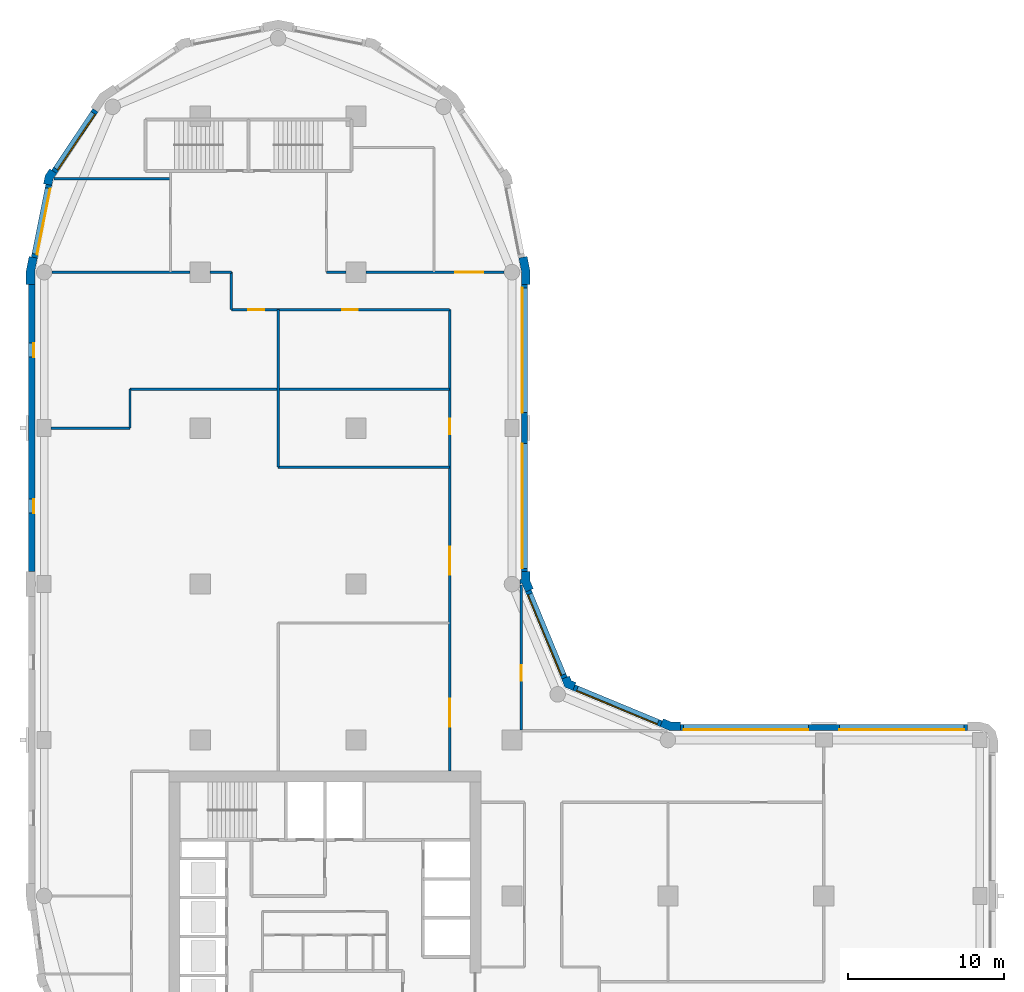
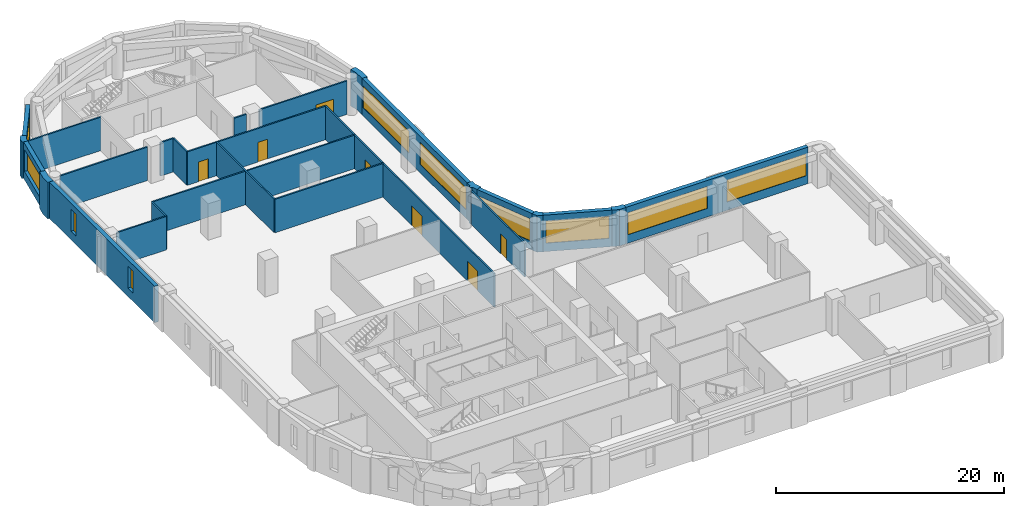
# One storey, part 5 of 9: 27 walls, 10 windows, 7 doors, 17 openings.
"""IFC4 building model written with IfcOpenShell, lengths in metres."""

from ifc_helpers import new_model, si_unit, direction, frame, frame_2d, origin, place, context, subcontext, project, spatial, polyline, rectangle, outline, extrude, material, layer, layer_set, type_object, element, fill, save


model = new_model("IFC4")

# Units and contexts
model_context = context("Model", 3, precision=1e-05, world=origin(), true_north=direction((0.0, 1.0)))
body_context = subcontext(model_context, "Body", "Model", "MODEL_VIEW")
ifc_project = project(units=[si_unit("LENGTHUNIT", "METRE"), si_unit("AREAUNIT", "SQUARE_METRE"), si_unit("VOLUMEUNIT", "CUBIC_METRE"), si_unit("PLANEANGLEUNIT", "RADIAN"), si_unit("MASSUNIT", "GRAM", prefix="KILO")], contexts=[model_context])

# Site, building, storey
site_placement = place(None, origin())
site = spatial("IfcSite", under=ifc_project, at=site_placement, CompositionType="ELEMENT")
building_placement = place(site_placement, origin())
building = spatial("IfcBuilding", under=site, at=building_placement, Name="Qaws Garden Tower", CompositionType="ELEMENT")
storey_placement = place(building_placement, frame((0.0, 0.0, 190.199951171875)))
storey = spatial("IfcBuildingStorey", under=building, at=storey_placement, Name="L46", CompositionType="ELEMENT", Elevation=190.199951171875)

# Wall, openings, windows
ifc_material_1 = material(Name="Clay facing brick masonry", Category="masonry")
ifc_layer_1 = layer(ifc_material_1, 0.39990234375)
ifc_layer_set_1 = layer_set([ifc_layer_1], Name="Clay facing brick masonry")
wall_type_1 = type_object("IfcWallType", Name="Brick infill wall 400", PredefinedType="SOLIDWALL", material=ifc_layer_set_1)
wall_1_placement = place(storey_placement, frame((59.199951171875, 30.800048828125, 0.0), z_axis=(0.0, 0.0, 1.0), x_axis=(-1.0, 0.0, 0.0)))
wall_1 = element("IfcWall", 1, at=wall_1_placement, inside=storey, type_object=wall_type_1, Name="E-L46-infill-07", PredefinedType="SOLIDWALL", context=body_context, shape_type="SweptSolid", body=[
    extrude(rectangle(XDim=18.39990234375, YDim=0.39990234375, at=frame_2d((9.199951171875, 0.0))), origin(), (0.0, 0.0, 1.0), 3.900146484375),
])
opening_1_placement = place(wall_1_placement, frame((0.199951171875, 0.0, 0.89990234375)))
opening_1 = element("IfcOpeningElement", 2, at=opening_1_placement, cuts=wall_1, Name="Opening W01", PredefinedType="OPENING", context=body_context, shape_type="SweptSolid", body=[
    extrude(rectangle(XDim=8.0, YDim=2.35009765625, at=frame_2d((4.0, 1.175048828125))), frame((0.0, 0.2099609375, 0.0), z_axis=(0.0, -1.0, 0.0), x_axis=(1.0, 0.0, 0.0)), (0.0, 0.0, 1.0), 0.419921875),
])
opening_2_placement = place(wall_1_placement, frame((10.199951171875, 0.0, 0.89990234375)))
opening_2 = element("IfcOpeningElement", 3, at=opening_2_placement, cuts=wall_1, Name="Opening W01", PredefinedType="OPENING", context=body_context, shape_type="SweptSolid", body=[
    extrude(rectangle(XDim=8.0, YDim=2.35009765625, at=frame_2d((4.0, 1.175048828125))), frame((0.0, 0.2099609375, 0.0), z_axis=(0.0, -1.0, 0.0), x_axis=(1.0, 0.0, 0.0)), (0.0, 0.0, 1.0), 0.419921875),
])
ifc_material_2 = material(Name="Aluminium framed window, clear glazing", Category="aluminium")
window_type_1 = type_object("IfcWindowType", Name="Ribbon window 8000 x 2350", PartitioningType="DOUBLE_PANEL_VERTICAL", PredefinedType="WINDOW", material=ifc_material_2)
window_1_placement = place(opening_1_placement, origin())
window_1 = element("IfcWindow", 4, at=window_1_placement, inside=storey, type_object=window_type_1, Name="E-L46-window-07-0", OverallHeight=2.35009765625, OverallWidth=8.0, PartitioningType="SINGLE_PANEL", PredefinedType="WINDOW", context=body_context, shape_type="SweptSolid", body=[
    extrude(rectangle(XDim=8.0, YDim=2.35009765625, at=frame_2d((4.0, 1.175048828125))), frame((0.0, 0.159912109375, 0.0), z_axis=(0.0, -1.0, 0.0), x_axis=(1.0, 0.0, 0.0)), (0.0, 0.0, 1.0), 0.06005859375),
])
fill(opening_1, window_1)
window_2_placement = place(opening_2_placement, origin())
window_2 = element("IfcWindow", 5, at=window_2_placement, inside=storey, type_object=window_type_1, Name="E-L46-window-08-0", OverallHeight=2.35009765625, OverallWidth=8.0, PartitioningType="SINGLE_PANEL", PredefinedType="WINDOW", context=body_context, shape_type="SweptSolid", body=[
    extrude(rectangle(XDim=8.0, YDim=2.35009765625, at=frame_2d((4.0, 1.175048828125))), frame((0.0, 0.159912109375, 0.0), z_axis=(0.0, -1.0, 0.0), x_axis=(1.0, 0.0, 0.0)), (0.0, 0.0, 1.0), 0.06005859375),
])
fill(opening_2, window_2)

# Wall, opening, window
wall_2_placement = place(storey_placement, frame((39.56689453125, 31.04541015625, 0.0), z_axis=(0.0, 0.0, 1.0), x_axis=(-0.923891000409, 0.382655745237, 0.0)))
wall_2 = element("IfcWall", 6, at=wall_2_placement, inside=storey, type_object=wall_type_1, Name="E-L46-infill-09", PredefinedType="SOLIDWALL", context=body_context, shape_type="SweptSolid", body=[
    extrude(rectangle(XDim=6.053466796875, YDim=0.39990234375, at=frame_2d((3.02685546875, 0.0))), origin(), (0.0, 0.0, 1.0), 3.900146484375),
])
opening_3_placement = place(wall_2_placement, frame((0.226806640625, 0.0, 0.89990234375)))
opening_3 = element("IfcOpeningElement", 7, at=opening_3_placement, cuts=wall_2, Name="Opening W04", PredefinedType="OPENING", context=body_context, shape_type="SweptSolid", body=[
    extrude(rectangle(XDim=5.60009765625, YDim=2.35009765625, at=frame_2d((2.800048828125, 1.175048828125))), frame((0.0, 0.2099609375, 0.0), z_axis=(0.0, -1.0, 0.0), x_axis=(1.0, 0.0, 0.0)), (0.0, 0.0, 1.0), 0.419921875),
])
ifc_material_3 = material(Name="Aluminium framed window, clear glazing", Category="aluminium")
window_type_2 = type_object("IfcWindowType", Name="Ribbon window 5600 x 2350", PartitioningType="DOUBLE_PANEL_VERTICAL", PredefinedType="WINDOW", material=ifc_material_3)
window_3_placement = place(opening_3_placement, origin())
window_3 = element("IfcWindow", 8, at=window_3_placement, inside=storey, type_object=window_type_2, Name="E-L46-window-09-0", OverallHeight=2.35009765625, OverallWidth=5.60009765625, PartitioningType="SINGLE_PANEL", PredefinedType="WINDOW", context=body_context, shape_type="SweptSolid", body=[
    extrude(rectangle(XDim=5.60009765625, YDim=2.35009765625, at=frame_2d((2.800048828125, 1.175048828125))), frame((0.0, 0.159912109375, 0.0), z_axis=(0.0, -1.0, 0.0), x_axis=(1.0, 0.0, 0.0)), (0.0, 0.0, 1.0), 0.06005859375),
])
fill(opening_3, window_3)

wall_3_placement = place(storey_placement, frame((33.36181640625, 33.97412109375, 0.0), z_axis=(0.0, 0.0, 1.0), x_axis=(-0.382655745237, 0.923891000409, 0.0)))
wall_3 = element("IfcWall", 9, at=wall_3_placement, inside=storey, type_object=wall_type_1, Name="E-L46-infill-10", PredefinedType="SOLIDWALL", context=body_context, shape_type="SweptSolid", body=[
    extrude(rectangle(XDim=6.053466796875, YDim=0.39990234375, at=frame_2d((3.02685546875, 0.0))), origin(), (0.0, 0.0, 1.0), 3.900146484375),
])
opening_4_placement = place(wall_3_placement, frame((0.226806640625, 0.0, 0.89990234375)))
opening_4 = element("IfcOpeningElement", 10, at=opening_4_placement, cuts=wall_3, Name="Opening W04", PredefinedType="OPENING", context=body_context, shape_type="SweptSolid", body=[
    extrude(rectangle(XDim=5.60009765625, YDim=2.35009765625, at=frame_2d((2.800048828125, 1.175048828125))), frame((0.0, 0.2099609375, 0.0), z_axis=(0.0, -1.0, 0.0), x_axis=(1.0, 0.0, 0.0)), (0.0, 0.0, 1.0), 0.419921875),
])
window_4_placement = place(opening_4_placement, origin())
window_4 = element("IfcWindow", 11, at=window_4_placement, inside=storey, type_object=window_type_2, Name="E-L46-window-10-0", OverallHeight=2.35009765625, OverallWidth=5.60009765625, PartitioningType="SINGLE_PANEL", PredefinedType="WINDOW", context=body_context, shape_type="SweptSolid", body=[
    extrude(rectangle(XDim=5.60009765625, YDim=2.35009765625, at=frame_2d((2.800048828125, 1.175048828125))), frame((0.0, 0.159912109375, 0.0), z_axis=(0.0, -1.0, 0.0), x_axis=(1.0, 0.0, 0.0)), (0.0, 0.0, 1.0), 0.06005859375),
])
fill(opening_4, window_4)

# Wall, openings, windows
wall_4_placement = place(storey_placement, frame((30.800048828125, 40.800048828125, 0.0), z_axis=(0.0, 0.0, 1.0), x_axis=(0.0, 1.0, 0.0)))
wall_4 = element("IfcWall", 12, at=wall_4_placement, inside=storey, type_object=wall_type_1, Name="E-L46-infill-11", PredefinedType="SOLIDWALL", context=body_context, shape_type="SweptSolid", body=[
    extrude(rectangle(XDim=18.39990234375, YDim=0.39990234375, at=frame_2d((9.199951171875, 0.0))), origin(), (0.0, 0.0, 1.0), 3.900146484375),
])
opening_5_placement = place(wall_4_placement, frame((0.199951171875, 0.0, 0.89990234375)))
opening_5 = element("IfcOpeningElement", 13, at=opening_5_placement, cuts=wall_4, Name="Opening W01", PredefinedType="OPENING", context=body_context, shape_type="SweptSolid", body=[
    extrude(rectangle(XDim=8.0, YDim=2.35009765625, at=frame_2d((4.0, 1.175048828125))), frame((0.0, 0.2099609375, 0.0), z_axis=(0.0, -1.0, 0.0), x_axis=(1.0, 0.0, 0.0)), (0.0, 0.0, 1.0), 0.419921875),
])
opening_6_placement = place(wall_4_placement, frame((10.199951171875, 0.0, 0.89990234375)))
opening_6 = element("IfcOpeningElement", 14, at=opening_6_placement, cuts=wall_4, Name="Opening W01", PredefinedType="OPENING", context=body_context, shape_type="SweptSolid", body=[
    extrude(rectangle(XDim=8.0, YDim=2.35009765625, at=frame_2d((4.0, 1.175048828125))), frame((0.0, 0.2099609375, 0.0), z_axis=(0.0, -1.0, 0.0), x_axis=(1.0, 0.0, 0.0)), (0.0, 0.0, 1.0), 0.419921875),
])
window_5_placement = place(opening_5_placement, origin())
window_5 = element("IfcWindow", 15, at=window_5_placement, inside=storey, type_object=window_type_1, Name="E-L46-window-11-0", OverallHeight=2.35009765625, OverallWidth=8.0, PartitioningType="SINGLE_PANEL", PredefinedType="WINDOW", context=body_context, shape_type="SweptSolid", body=[
    extrude(rectangle(XDim=8.0, YDim=2.35009765625, at=frame_2d((4.0, 1.175048828125))), frame((0.0, 0.159912109375, 0.0), z_axis=(0.0, -1.0, 0.0), x_axis=(1.0, 0.0, 0.0)), (0.0, 0.0, 1.0), 0.06005859375),
])
fill(opening_5, window_5)
window_6_placement = place(opening_6_placement, origin())
window_6 = element("IfcWindow", 16, at=window_6_placement, inside=storey, type_object=window_type_1, Name="E-L46-window-12-0", OverallHeight=2.35009765625, OverallWidth=8.0, PartitioningType="SINGLE_PANEL", PredefinedType="WINDOW", context=body_context, shape_type="SweptSolid", body=[
    extrude(rectangle(XDim=8.0, YDim=2.35009765625, at=frame_2d((4.0, 1.175048828125))), frame((0.0, 0.159912109375, 0.0), z_axis=(0.0, -1.0, 0.0), x_axis=(1.0, 0.0, 0.0)), (0.0, 0.0, 1.0), 0.06005859375),
])
fill(opening_6, window_6)

# Wall, opening, window
wall_5_placement = place(storey_placement, frame((3.28369140625, 70.385986328125, 0.0), z_axis=(0.0, 0.0, 1.0), x_axis=(-0.555541552266, -0.831488775454, 0.0)))
wall_5 = element("IfcWall", 17, at=wall_5_placement, inside=storey, type_object=wall_type_1, Name="E-L46-infill-19", PredefinedType="SOLIDWALL", context=body_context, shape_type="SweptSolid", body=[
    extrude(rectangle(XDim=4.752685546875, YDim=0.39990234375, at=frame_2d((2.37646484375, 0.0))), origin(), (0.0, 0.0, 1.0), 3.900146484375),
])
opening_7_placement = place(wall_5_placement, frame((0.226318359375, 0.0, 0.89990234375)))
opening_7 = element("IfcOpeningElement", 18, at=opening_7_placement, cuts=wall_5, Name="Opening W06", PredefinedType="OPENING", context=body_context, shape_type="SweptSolid", body=[
    extrude(rectangle(XDim=4.300048828125, YDim=2.35009765625, at=frame_2d((2.14990234375, 1.175048828125))), frame((0.0, 0.2099609375, 0.0), z_axis=(0.0, -1.0, 0.0), x_axis=(1.0, 0.0, 0.0)), (0.0, 0.0, 1.0), 0.419921875),
])
ifc_material_4 = material(Name="Aluminium framed window, clear glazing", Category="aluminium")
window_type_3 = type_object("IfcWindowType", Name="Ribbon window 4300 x 2350", PartitioningType="DOUBLE_PANEL_VERTICAL", PredefinedType="WINDOW", material=ifc_material_4)
window_7_placement = place(opening_7_placement, origin())
window_7 = element("IfcWindow", 19, at=window_7_placement, inside=storey, type_object=window_type_3, Name="E-L46-window-19-0", OverallHeight=2.35009765625, OverallWidth=4.300048828125, PartitioningType="SINGLE_PANEL", PredefinedType="WINDOW", context=body_context, shape_type="SweptSolid", body=[
    extrude(rectangle(XDim=4.300048828125, YDim=2.35009765625, at=frame_2d((2.14990234375, 1.175048828125))), frame((0.0, 0.159912109375, 0.0), z_axis=(0.0, -1.0, 0.0), x_axis=(1.0, 0.0, 0.0)), (0.0, 0.0, 1.0), 0.06005859375),
])
fill(opening_7, window_7)

wall_6_placement = place(storey_placement, frame((0.298583984375, 65.60205078125, 0.0), z_axis=(0.0, 0.0, 1.0), x_axis=(-0.195098533057, -0.98078364709, 0.0)))
wall_6 = element("IfcWall", 20, at=wall_6_placement, inside=storey, type_object=wall_type_1, Name="E-L46-infill-20", PredefinedType="SOLIDWALL", context=body_context, shape_type="SweptSolid", body=[
    extrude(rectangle(XDim=4.752685546875, YDim=0.39990234375, at=frame_2d((2.37646484375, 0.0))), origin(), (0.0, 0.0, 1.0), 3.900146484375),
])
opening_8_placement = place(wall_6_placement, frame((0.226318359375, 0.0, 0.89990234375)))
opening_8 = element("IfcOpeningElement", 21, at=opening_8_placement, cuts=wall_6, Name="Opening W06", PredefinedType="OPENING", context=body_context, shape_type="SweptSolid", body=[
    extrude(rectangle(XDim=4.300048828125, YDim=2.35009765625, at=frame_2d((2.14990234375, 1.175048828125))), frame((0.0, 0.2099609375, 0.0), z_axis=(0.0, -1.0, 0.0), x_axis=(1.0, 0.0, 0.0)), (0.0, 0.0, 1.0), 0.419921875),
])
window_8_placement = place(opening_8_placement, origin())
window_8 = element("IfcWindow", 22, at=window_8_placement, inside=storey, type_object=window_type_3, Name="E-L46-window-20-0", OverallHeight=2.35009765625, OverallWidth=4.300048828125, PartitioningType="SINGLE_PANEL", PredefinedType="WINDOW", context=body_context, shape_type="SweptSolid", body=[
    extrude(rectangle(XDim=4.300048828125, YDim=2.35009765625, at=frame_2d((2.14990234375, 1.175048828125))), frame((0.0, 0.159912109375, 0.0), z_axis=(0.0, -1.0, 0.0), x_axis=(1.0, 0.0, 0.0)), (0.0, 0.0, 1.0), 0.06005859375),
])
fill(opening_8, window_8)

# Wall, openings, windows
wall_7_placement = place(storey_placement, frame((-0.800048828125, 59.199951171875, 0.0), z_axis=(0.0, 0.0, 1.0), x_axis=(0.0, -1.0, 0.0)))
wall_7 = element("IfcWall", 23, at=wall_7_placement, inside=storey, type_object=wall_type_1, Name="E-L46-infill-21", PredefinedType="SOLIDWALL", context=body_context, shape_type="SweptSolid", body=[
    extrude(rectangle(XDim=18.39990234375, YDim=0.39990234375, at=frame_2d((9.199951171875, 0.0))), origin(), (0.0, 0.0, 1.0), 3.900146484375),
])
opening_9_placement = place(wall_7_placement, frame((3.75, 0.0, 0.89990234375)))
opening_9 = element("IfcOpeningElement", 24, at=opening_9_placement, cuts=wall_7, Name="Opening W09", PredefinedType="OPENING", context=body_context, shape_type="SweptSolid", body=[
    extrude(rectangle(XDim=0.89990234375, YDim=2.35009765625, at=frame_2d((0.449951171875, 1.175048828125))), frame((0.0, 0.2099609375, 0.0), z_axis=(0.0, -1.0, 0.0), x_axis=(1.0, 0.0, 0.0)), (0.0, 0.0, 1.0), 0.419921875),
])
opening_10_placement = place(wall_7_placement, frame((13.75, 0.0, 0.89990234375)))
opening_10 = element("IfcOpeningElement", 25, at=opening_10_placement, cuts=wall_7, Name="Opening W09", PredefinedType="OPENING", context=body_context, shape_type="SweptSolid", body=[
    extrude(rectangle(XDim=0.89990234375, YDim=2.35009765625, at=frame_2d((0.449951171875, 1.175048828125))), frame((0.0, 0.2099609375, 0.0), z_axis=(0.0, -1.0, 0.0), x_axis=(1.0, 0.0, 0.0)), (0.0, 0.0, 1.0), 0.419921875),
])
ifc_material_5 = material(Name="Aluminium framed window, clear glazing", Category="aluminium")
window_type_4 = type_object("IfcWindowType", Name="Slit window 900 x 2350", PartitioningType="SINGLE_PANEL", PredefinedType="WINDOW", material=ifc_material_5)
window_9_placement = place(opening_9_placement, origin())
window_9 = element("IfcWindow", 26, at=window_9_placement, inside=storey, type_object=window_type_4, Name="E-L46-window-21-0", OverallHeight=2.35009765625, OverallWidth=0.89990234375, PartitioningType="SINGLE_PANEL", PredefinedType="WINDOW", context=body_context, shape_type="SweptSolid", body=[
    extrude(rectangle(XDim=0.89990234375, YDim=2.35009765625, at=frame_2d((0.449951171875, 1.175048828125))), frame((0.0, 0.159912109375, 0.0), z_axis=(0.0, -1.0, 0.0), x_axis=(1.0, 0.0, 0.0)), (0.0, 0.0, 1.0), 0.06005859375),
])
fill(opening_9, window_9)
window_10_placement = place(opening_10_placement, origin())
window_10 = element("IfcWindow", 27, at=window_10_placement, inside=storey, type_object=window_type_4, Name="E-L46-window-22-0", OverallHeight=2.35009765625, OverallWidth=0.89990234375, PartitioningType="SINGLE_PANEL", PredefinedType="WINDOW", context=body_context, shape_type="SweptSolid", body=[
    extrude(rectangle(XDim=0.89990234375, YDim=2.35009765625, at=frame_2d((0.449951171875, 1.175048828125))), frame((0.0, 0.159912109375, 0.0), z_axis=(0.0, -1.0, 0.0), x_axis=(1.0, 0.0, 0.0)), (0.0, 0.0, 1.0), 0.06005859375),
])
fill(opening_10, window_10)

# Walls
ifc_material_6 = material(Name="Clay facing brick masonry", Category="masonry")
ifc_layer_2 = layer(ifc_material_6, 0.550048828125)
ifc_layer_set_2 = layer_set([ifc_layer_2], Name="Clay facing brick masonry")
wall_type_2 = type_object("IfcWallType", Name="Brick kink pier 550 x 600", PredefinedType="SOLIDWALL", material=ifc_layer_set_2)
placement = place(storey_placement, origin())
element("IfcWall", 28, at=placement, inside=storey, type_object=wall_type_2, Name="E-L46-pier-20", PredefinedType="SOLIDWALL", context=body_context, shape_type="SweptSolid", body=[
    extrude(outline(polyline([(0.47705078125, 66.545166015625), (0.352294921875, 66.628662109375), (0.05859375, 66.18896484375), (-0.044677734375, 65.67041015625), (0.1025390625, 65.64111328125), (0.494873046875, 65.56298828125), (0.57666015625, 65.974365234375), (0.8095703125, 66.322998046875), (0.47705078125, 66.545166015625)])), origin(), (0.0, 0.0, 1.0), 3.900146484375),
])
ifc_material_7 = material(Name="Clay facing brick masonry", Category="masonry")
ifc_layer_3 = layer(ifc_material_7, 0.550048828125)
ifc_layer_set_3 = layer_set([ifc_layer_3], Name="Clay facing brick masonry")
wall_type_3 = type_object("IfcWallType", Name="Brick pier 550 x 1600", PredefinedType="SOLIDWALL", material=ifc_layer_set_3)
element("IfcWall", 29, at=placement, inside=storey, type_object=wall_type_3, Name="E-L46-pier-09", PredefinedType="SOLIDWALL", context=body_context, shape_type="SweptSolid", body=[
    extrude(outline(polyline([(40.800048828125, 31.0), (40.800048828125, 31.14990234375), (40.228759765625, 31.14990234375), (39.700927734375, 31.36865234375), (39.6435546875, 31.22998046875), (39.490478515625, 30.860595703125), (40.119384765625, 30.60009765625), (40.800048828125, 30.60009765625), (40.800048828125, 31.0)])), origin(), (0.0, 0.0, 1.0), 3.900146484375),
])
element("IfcWall", 30, at=placement, inside=storey, type_object=wall_type_3, Name="E-L46-pier-10", PredefinedType="SOLIDWALL", context=body_context, shape_type="SweptSolid", body=[
    extrude(outline(polyline([(34.05078125, 33.546630859375), (34.108154296875, 33.685302734375), (33.80908203125, 33.80908203125), (33.685302734375, 34.108154296875), (33.546630859375, 34.05078125), (33.177001953125, 33.897705078125), (33.38818359375, 33.38818359375), (33.897705078125, 33.177001953125), (34.05078125, 33.546630859375)])), origin(), (0.0, 0.0, 1.0), 3.900146484375),
])
element("IfcWall", 31, at=placement, inside=storey, type_object=wall_type_3, Name="E-L46-pier-11", PredefinedType="SOLIDWALL", context=body_context, shape_type="SweptSolid", body=[
    extrude(outline(polyline([(30.6201171875, 39.995361328125), (30.6201171875, 40.071044921875), (30.860595703125, 39.490478515625), (31.22998046875, 39.6435546875), (31.36865234375, 39.700927734375), (31.14990234375, 40.228759765625), (31.14990234375, 40.800048828125), (31.0, 40.800048828125), (30.60009765625, 40.800048828125), (30.60009765625, 40.29541015625), (30.5, 40.29541015625), (30.5, 39.995361328125), (30.6201171875, 39.995361328125)])), origin(), (0.0, 0.0, 1.0), 3.900146484375),
])
element("IfcWall", 32, at=placement, inside=storey, type_object=wall_type_3, Name="E-L46-pier-13", PredefinedType="SOLIDWALL", context=body_context, shape_type="SweptSolid", body=[
    extrude(outline(polyline([(31.0, 59.199951171875), (31.14990234375, 59.199951171875), (31.14990234375, 60.11328125), (30.971923828125, 61.009033203125), (30.82470703125, 60.979736328125), (30.432373046875, 60.901611328125), (30.60009765625, 60.05908203125), (30.60009765625, 59.199951171875), (31.0, 59.199951171875)])), origin(), (0.0, 0.0, 1.0), 3.900146484375),
])
element("IfcWall", 33, at=placement, inside=storey, type_object=wall_type_3, Name="E-L46-pier-21", PredefinedType="SOLIDWALL", context=body_context, shape_type="SweptSolid", body=[
    extrude(outline(polyline([(-0.82470703125, 60.979736328125), (-0.971923828125, 61.009033203125), (-1.14990234375, 60.11328125), (-1.14990234375, 59.199951171875), (-1.0, 59.199951171875), (-0.60009765625, 59.199951171875), (-0.60009765625, 60.05908203125), (-0.432373046875, 60.901611328125), (-0.82470703125, 60.979736328125)])), origin(), (0.0, 0.0, 1.0), 3.900146484375),
])
ifc_material_8 = material(Name="Gypsum board partition")
ifc_layer_4 = layer(ifc_material_8, 0.14990234375)
ifc_layer_set_4 = layer_set([ifc_layer_4], Name="Gypsum board partition")
wall_type_4 = type_object("IfcWallType", Name="PARTITION 150 EI 60", PredefinedType="PARTITIONING", material=ifc_layer_set_4)
wall_14_placement = place(storey_placement, frame((5.5, 50.0, 0.0), z_axis=(0.0, 0.0, 1.0), x_axis=(0.0, 1.0, 0.0)))
element("IfcWall", 34, at=wall_14_placement, inside=storey, type_object=wall_type_4, Name="O-L46-wall-003", PredefinedType="PARTITIONING", context=body_context, shape_type="SweptSolid", body=[
    extrude(rectangle(XDim=2.5, YDim=0.14990234375, at=frame_2d((1.25, 0.0))), origin(), (0.0, 0.0, 1.0), 3.580078125),
])
wall_15_placement = place(storey_placement, frame((12.0, 57.60009765625, 0.0), z_axis=(0.0, 0.0, 1.0), x_axis=(0.0, 1.0, 0.0)))
element("IfcWall", 35, at=wall_15_placement, inside=storey, type_object=wall_type_4, Name="O-L46-wall-006", PredefinedType="PARTITIONING", context=body_context, shape_type="SweptSolid", body=[
    extrude(rectangle(XDim=2.39990234375, YDim=0.14990234375, at=frame_2d((1.199951171875, 0.0))), origin(), (0.0, 0.0, 1.0), 3.580078125),
])
wall_16_placement = place(storey_placement, frame((15.0, 47.5, 0.0), z_axis=(0.0, 0.0, 1.0), x_axis=(0.0, 1.0, 0.0)))
element("IfcWall", 36, at=wall_16_placement, inside=storey, type_object=wall_type_4, Name="O-L46-wall-009", PredefinedType="PARTITIONING", context=body_context, shape_type="SweptSolid", body=[
    extrude(rectangle(XDim=10.10009765625, YDim=0.14990234375, at=frame_2d((5.050048828125, 0.0))), origin(), (0.0, 0.0, 1.0), 3.580078125),
])

# Wall, openings, doors
wall_17_placement = place(storey_placement, frame((26.0, 28.0, 0.0), z_axis=(0.0, 0.0, 1.0), x_axis=(0.0, 1.0, 0.0)))
wall_17 = element("IfcWall", 37, at=wall_17_placement, inside=storey, type_object=wall_type_4, Name="O-L46-wall-013", PredefinedType="PARTITIONING", context=body_context, shape_type="SweptSolid", body=[
    extrude(rectangle(XDim=29.60009765625, YDim=0.14990234375, at=frame_2d((14.800048828125, 0.0))), origin(), (0.0, 0.0, 1.0), 3.580078125),
])
opening_11_placement = place(wall_17_placement, frame((2.85009765625, 0.0, 0.0)))
opening_11 = element("IfcOpeningElement", 38, at=opening_11_placement, cuts=wall_17, Name="Opening B604", PredefinedType="OPENING", context=body_context, shape_type="SweptSolid", body=[
    extrude(rectangle(XDim=1.800048828125, YDim=2.10009765625, at=frame_2d((0.89990234375, 1.050048828125))), frame((0.0, 0.0849609375, 0.0), z_axis=(0.0, -1.0, 0.0), x_axis=(1.0, 0.0, 0.0)), (0.0, 0.0, 1.0), 0.169921875),
])
opening_12_placement = place(wall_17_placement, frame((12.60009765625, 0.0, 0.0)))
opening_12 = element("IfcOpeningElement", 39, at=opening_12_placement, cuts=wall_17, Name="Opening B605", PredefinedType="OPENING", context=body_context, shape_type="SweptSolid", body=[
    extrude(rectangle(XDim=1.800048828125, YDim=2.10009765625, at=frame_2d((0.89990234375, 1.050048828125))), frame((0.0, 0.0849609375, 0.0), z_axis=(0.0, -1.0, 0.0), x_axis=(1.0, 0.0, 0.0)), (0.0, 0.0, 1.0), 0.169921875),
])
opening_13_placement = place(wall_17_placement, frame((21.60009765625, 0.0, 0.0)))
opening_13 = element("IfcOpeningElement", 40, at=opening_13_placement, cuts=wall_17, Name="Opening B606", PredefinedType="OPENING", context=body_context, shape_type="SweptSolid", body=[
    extrude(rectangle(XDim=1.0, YDim=2.10009765625, at=frame_2d((0.5, 1.050048828125))), frame((0.0, 0.0849609375, 0.0), z_axis=(0.0, -1.0, 0.0), x_axis=(1.0, 0.0, 0.0)), (0.0, 0.0, 1.0), 0.169921875),
])
ifc_material_9 = material(Name="Timber door leaf", Category="wood")
door_type_1 = type_object("IfcDoorType", Name="DOUBLE DOOR 1800 X 2100", OperationType="DOUBLE_DOOR_SINGLE_SWING", PredefinedType="DOOR", material=ifc_material_9)
door_1_placement = place(opening_11_placement, origin())
door_1 = element("IfcDoor", 41, at=door_1_placement, inside=storey, type_object=door_type_1, Name="O-L46-door-004", OperationType="DOUBLE_DOOR_SINGLE_SWING", OverallHeight=2.10009765625, OverallWidth=1.800048828125, PredefinedType="DOOR", context=body_context, shape_type="SweptSolid", body=[
    extrude(rectangle(XDim=1.800048828125, YDim=2.10009765625, at=frame_2d((0.89990234375, 1.050048828125))), frame((0.0, 0.02490234375, 0.0), z_axis=(0.0, -1.0, 0.0), x_axis=(1.0, 0.0, 0.0)), (0.0, 0.0, 1.0), 0.050048828125),
])
fill(opening_11, door_1)
door_2_placement = place(opening_12_placement, origin())
door_2 = element("IfcDoor", 42, at=door_2_placement, inside=storey, type_object=door_type_1, Name="O-L46-door-005", OperationType="DOUBLE_DOOR_SINGLE_SWING", OverallHeight=2.10009765625, OverallWidth=1.800048828125, PredefinedType="DOOR", context=body_context, shape_type="SweptSolid", body=[
    extrude(rectangle(XDim=1.800048828125, YDim=2.10009765625, at=frame_2d((0.89990234375, 1.050048828125))), frame((0.0, 0.02490234375, 0.0), z_axis=(0.0, -1.0, 0.0), x_axis=(1.0, 0.0, 0.0)), (0.0, 0.0, 1.0), 0.050048828125),
])
fill(opening_12, door_2)
ifc_material_10 = material(Name="Timber door leaf", Category="wood")
door_type_2 = type_object("IfcDoorType", Name="TENANCY ENTRANCE DOOR 1000 X 2100", OperationType="SINGLE_SWING_LEFT", PredefinedType="DOOR", material=ifc_material_10)
door_3_placement = place(opening_13_placement, origin())
door_3 = element("IfcDoor", 43, at=door_3_placement, inside=storey, type_object=door_type_2, Name="O-L46-door-006", OperationType="SINGLE_SWING_LEFT", OverallHeight=2.10009765625, OverallWidth=1.0, PredefinedType="DOOR", context=body_context, shape_type="SweptSolid", body=[
    extrude(rectangle(XDim=1.0, YDim=2.10009765625, at=frame_2d((0.5, 1.050048828125))), frame((0.0, 0.02490234375, 0.0), z_axis=(0.0, -1.0, 0.0), x_axis=(1.0, 0.0, 0.0)), (0.0, 0.0, 1.0), 0.050048828125),
])
fill(opening_13, door_3)

# Wall, opening, door
wall_18_placement = place(storey_placement, frame((30.60009765625, 30.64990234375, 0.0), z_axis=(0.0, 0.0, 1.0), x_axis=(0.0, 1.0, 0.0)))
wall_18 = element("IfcWall", 44, at=wall_18_placement, inside=storey, type_object=wall_type_4, Name="O-L46-wall-014", PredefinedType="PARTITIONING", context=body_context, shape_type="SweptSolid", body=[
    extrude(rectangle(XDim=9.288330078125, YDim=0.14990234375, at=frame_2d((4.64404296875, 0.0))), origin(), (0.0, 0.0, 1.0), 3.580078125),
])
opening_14_placement = place(wall_18_placement, frame((3.14990234375, 0.0, 0.0)))
opening_14 = element("IfcOpeningElement", 45, at=opening_14_placement, cuts=wall_18, Name="Opening B613", PredefinedType="OPENING", context=body_context, shape_type="SweptSolid", body=[
    extrude(rectangle(XDim=1.0, YDim=2.10009765625, at=frame_2d((0.5, 1.050048828125))), frame((0.0, 0.0849609375, 0.0), z_axis=(0.0, -1.0, 0.0), x_axis=(1.0, 0.0, 0.0)), (0.0, 0.0, 1.0), 0.169921875),
])
door_4_placement = place(opening_14_placement, frame((1.0, 0.0, 0.0), z_axis=(0.0, 0.0, 1.0), x_axis=(-1.0, 0.0, 0.0)))
door_4 = element("IfcDoor", 46, at=door_4_placement, inside=storey, type_object=door_type_2, Name="O-L46-door-013", OperationType="SINGLE_SWING_LEFT", OverallHeight=2.10009765625, OverallWidth=1.0, PredefinedType="DOOR", context=body_context, shape_type="SweptSolid", body=[
    extrude(rectangle(XDim=1.0, YDim=2.10009765625, at=frame_2d((0.5, 1.050048828125))), frame((0.0, 0.02490234375, 0.0), z_axis=(0.0, -1.0, 0.0), x_axis=(1.0, 0.0, 0.0)), (0.0, 0.0, 1.0), 0.050048828125),
])
fill(opening_14, door_4)

# Walls
wall_19_placement = place(storey_placement, frame((15.0, 47.5, 0.0), z_axis=(0.0, 0.0, 1.0), x_axis=(1.0, 0.0, 0.0)))
element("IfcWall", 47, at=wall_19_placement, inside=storey, type_object=wall_type_4, Name="O-L46-wall-045", PredefinedType="PARTITIONING", context=body_context, shape_type="SweptSolid", body=[
    extrude(rectangle(XDim=11.0, YDim=0.14990234375, at=frame_2d((5.5, 0.0))), origin(), (0.0, 0.0, 1.0), 3.580078125),
])
wall_20_placement = place(storey_placement, frame((0.449951171875, 50.0, 0.0), z_axis=(0.0, 0.0, 1.0), x_axis=(1.0, 0.0, 0.0)))
element("IfcWall", 48, at=wall_20_placement, inside=storey, type_object=wall_type_4, Name="O-L46-wall-046", PredefinedType="PARTITIONING", context=body_context, shape_type="SweptSolid", body=[
    extrude(rectangle(XDim=5.050048828125, YDim=0.14990234375, at=frame_2d((2.52490234375, 0.0))), origin(), (0.0, 0.0, 1.0), 3.580078125),
])
wall_21_placement = place(storey_placement, frame((5.5, 52.5, 0.0), z_axis=(0.0, 0.0, 1.0), x_axis=(1.0, 0.0, 0.0)))
element("IfcWall", 49, at=wall_21_placement, inside=storey, type_object=wall_type_4, Name="O-L46-wall-047", PredefinedType="PARTITIONING", context=body_context, shape_type="SweptSolid", body=[
    extrude(rectangle(XDim=20.5, YDim=0.14990234375, at=frame_2d((10.25, 0.0))), origin(), (0.0, 0.0, 1.0), 3.580078125),
])

# Wall, openings, doors
wall_22_placement = place(storey_placement, frame((12.0, 57.60009765625, 0.0), z_axis=(0.0, 0.0, 1.0), x_axis=(1.0, 0.0, 0.0)))
wall_22 = element("IfcWall", 50, at=wall_22_placement, inside=storey, type_object=wall_type_4, Name="O-L46-wall-048", PredefinedType="PARTITIONING", context=body_context, shape_type="SweptSolid", body=[
    extrude(rectangle(XDim=14.0, YDim=0.14990234375, at=frame_2d((7.0, 0.0))), origin(), (0.0, 0.0, 1.0), 3.580078125),
])
opening_15_placement = place(wall_22_placement, frame((7.10009765625, 0.0, 0.0)))
opening_15 = element("IfcOpeningElement", 51, at=opening_15_placement, cuts=wall_22, Name="Opening B607", PredefinedType="OPENING", context=body_context, shape_type="SweptSolid", body=[
    extrude(rectangle(XDim=1.0, YDim=2.10009765625, at=frame_2d((0.5, 1.050048828125))), frame((0.0, 0.0849609375, 0.0), z_axis=(0.0, -1.0, 0.0), x_axis=(1.0, 0.0, 0.0)), (0.0, 0.0, 1.0), 0.169921875),
])
opening_16_placement = place(wall_22_placement, frame((1.10009765625, 0.0, 0.0)))
opening_16 = element("IfcOpeningElement", 52, at=opening_16_placement, cuts=wall_22, Name="Opening B608", PredefinedType="OPENING", context=body_context, shape_type="SweptSolid", body=[
    extrude(rectangle(XDim=1.0, YDim=2.10009765625, at=frame_2d((0.5, 1.050048828125))), frame((0.0, 0.0849609375, 0.0), z_axis=(0.0, -1.0, 0.0), x_axis=(1.0, 0.0, 0.0)), (0.0, 0.0, 1.0), 0.169921875),
])
door_5_placement = place(opening_15_placement, frame((1.0, 0.0, 0.0), z_axis=(0.0, 0.0, 1.0), x_axis=(-1.0, 0.0, 0.0)))
door_5 = element("IfcDoor", 53, at=door_5_placement, inside=storey, type_object=door_type_2, Name="O-L46-door-007", OperationType="SINGLE_SWING_LEFT", OverallHeight=2.10009765625, OverallWidth=1.0, PredefinedType="DOOR", context=body_context, shape_type="SweptSolid", body=[
    extrude(rectangle(XDim=1.0, YDim=2.10009765625, at=frame_2d((0.5, 1.050048828125))), frame((0.0, 0.02490234375, 0.0), z_axis=(0.0, -1.0, 0.0), x_axis=(1.0, 0.0, 0.0)), (0.0, 0.0, 1.0), 0.050048828125),
])
fill(opening_15, door_5)
door_6_placement = place(opening_16_placement, frame((1.0, 0.0, 0.0), z_axis=(0.0, 0.0, 1.0), x_axis=(-1.0, 0.0, 0.0)))
door_6 = element("IfcDoor", 54, at=door_6_placement, inside=storey, type_object=door_type_2, Name="O-L46-door-008", OperationType="SINGLE_SWING_LEFT", OverallHeight=2.10009765625, OverallWidth=1.0, PredefinedType="DOOR", context=body_context, shape_type="SweptSolid", body=[
    extrude(rectangle(XDim=1.0, YDim=2.10009765625, at=frame_2d((0.5, 1.050048828125))), frame((0.0, 0.02490234375, 0.0), z_axis=(0.0, -1.0, 0.0), x_axis=(1.0, 0.0, 0.0)), (0.0, 0.0, 1.0), 0.050048828125),
])
fill(opening_16, door_6)

# Walls
wall_23_placement = place(storey_placement, frame((0.5, 60.0, 0.0), z_axis=(0.0, 0.0, 1.0), x_axis=(1.0, 0.0, 0.0)))
element("IfcWall", 55, at=wall_23_placement, inside=storey, type_object=wall_type_4, Name="O-L46-wall-049", PredefinedType="PARTITIONING", context=body_context, shape_type="SweptSolid", body=[
    extrude(rectangle(XDim=8.85009765625, YDim=0.14990234375, at=frame_2d((4.425048828125, 0.0))), origin(), (0.0, 0.0, 1.0), 3.580078125),
])
wall_24_placement = place(storey_placement, frame((10.64990234375, 60.0, 0.0), z_axis=(0.0, 0.0, 1.0), x_axis=(1.0, 0.0, 0.0)))
element("IfcWall", 56, at=wall_24_placement, inside=storey, type_object=wall_type_4, Name="O-L46-wall-050", PredefinedType="PARTITIONING", context=body_context, shape_type="SweptSolid", body=[
    extrude(rectangle(XDim=1.35009765625, YDim=0.14990234375, at=frame_2d((0.675048828125, 0.0))), origin(), (0.0, 0.0, 1.0), 3.580078125),
])
wall_25_placement = place(storey_placement, frame((18.10009765625, 60.0, 0.0), z_axis=(0.0, 0.0, 1.0), x_axis=(1.0, 0.0, 0.0)))
element("IfcWall", 57, at=wall_25_placement, inside=storey, type_object=wall_type_4, Name="O-L46-wall-051", PredefinedType="PARTITIONING", context=body_context, shape_type="SweptSolid", body=[
    extrude(rectangle(XDim=1.25, YDim=0.14990234375, at=frame_2d((0.625, 0.0))), origin(), (0.0, 0.0, 1.0), 3.580078125),
])

# Wall, opening, door
wall_26_placement = place(storey_placement, frame((20.64990234375, 60.0, 0.0), z_axis=(0.0, 0.0, 1.0), x_axis=(1.0, 0.0, 0.0)))
wall_26 = element("IfcWall", 58, at=wall_26_placement, inside=storey, type_object=wall_type_4, Name="O-L46-wall-052", PredefinedType="PARTITIONING", context=body_context, shape_type="SweptSolid", body=[
    extrude(rectangle(XDim=8.85009765625, YDim=0.14990234375, at=frame_2d((4.425048828125, 0.0))), origin(), (0.0, 0.0, 1.0), 3.580078125),
])
opening_17_placement = place(wall_26_placement, frame((5.699951171875, 0.0, 0.0)))
opening_17 = element("IfcOpeningElement", 59, at=opening_17_placement, cuts=wall_26, Name="Opening B612", PredefinedType="OPENING", context=body_context, shape_type="SweptSolid", body=[
    extrude(rectangle(XDim=1.800048828125, YDim=2.10009765625, at=frame_2d((0.89990234375, 1.050048828125))), frame((0.0, 0.0849609375, 0.0), z_axis=(0.0, -1.0, 0.0), x_axis=(1.0, 0.0, 0.0)), (0.0, 0.0, 1.0), 0.169921875),
])
door_7_placement = place(opening_17_placement, origin())
door_7 = element("IfcDoor", 60, at=door_7_placement, inside=storey, type_object=door_type_1, Name="O-L46-door-012", OperationType="DOUBLE_DOOR_SINGLE_SWING", OverallHeight=2.10009765625, OverallWidth=1.800048828125, PredefinedType="DOOR", context=body_context, shape_type="SweptSolid", body=[
    extrude(rectangle(XDim=1.800048828125, YDim=2.10009765625, at=frame_2d((0.89990234375, 1.050048828125))), frame((0.0, 0.02490234375, 0.0), z_axis=(0.0, -1.0, 0.0), x_axis=(1.0, 0.0, 0.0)), (0.0, 0.0, 1.0), 0.050048828125),
])
fill(opening_17, door_7)

# Wall
wall_27_placement = place(storey_placement, frame((0.643798828125, 66.0, 0.0), z_axis=(0.0, 0.0, 1.0), x_axis=(1.0, 0.0, 0.0)))
element("IfcWall", 61, at=wall_27_placement, inside=storey, type_object=wall_type_4, Name="O-L46-wall-053", PredefinedType="PARTITIONING", context=body_context, shape_type="SweptSolid", body=[
    extrude(rectangle(XDim=7.456298828125, YDim=0.14990234375, at=frame_2d((3.72802734375, 0.0))), origin(), (0.0, 0.0, 1.0), 3.580078125),
])

save(model, "model.ifc")
